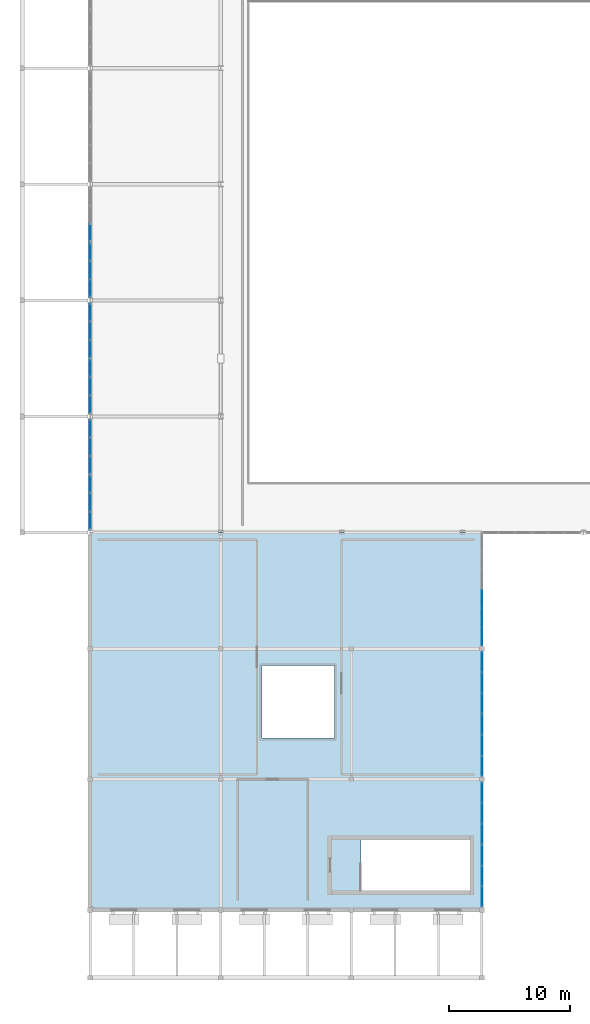
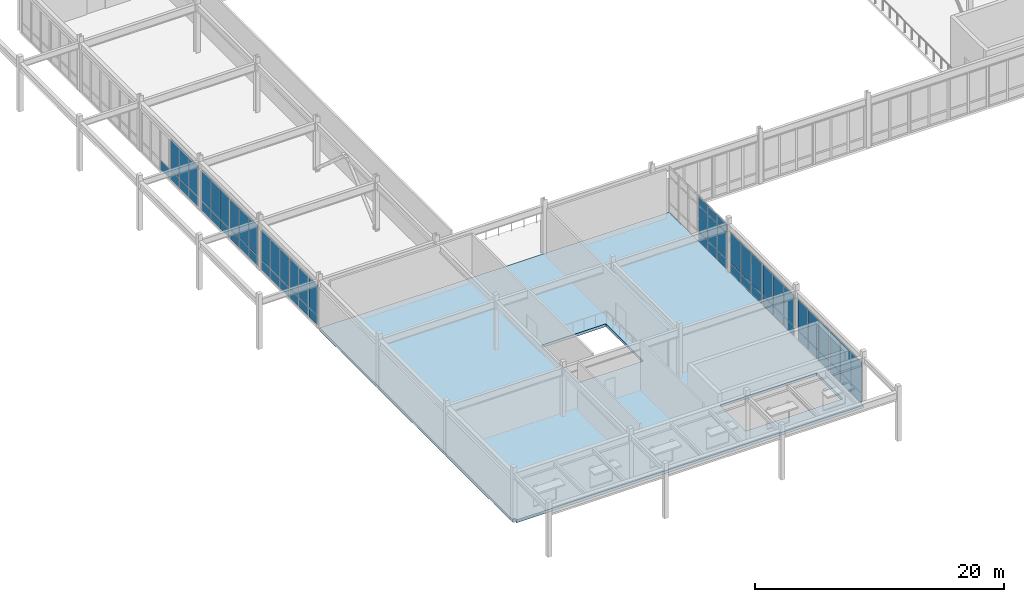
# One storey, part 33 of 68: 64 plates, 1 slab, 11 elements without a shape of their own.
"""IFC4 building model written with IfcOpenShell, lengths in metres."""

from ifc_helpers import new_model, si_unit, direction, frame, origin, origin_2d, place, context, subcontext, project, spatial, polyline, rectangle, outline, extrude, material, layer, layer_set, type_object, element, aggregate, save


model = new_model("IFC4")

# Units and contexts
model_context = context("Model", 3, precision=1e-05, world=origin(), true_north=direction((0.0, 1.0)))
body_context = subcontext(model_context, "Body", "Model", "MODEL_VIEW")
ifc_project = project(units=[si_unit("LENGTHUNIT", "METRE"), si_unit("AREAUNIT", "SQUARE_METRE"), si_unit("VOLUMEUNIT", "CUBIC_METRE"), si_unit("PLANEANGLEUNIT", "RADIAN"), si_unit("MASSUNIT", "GRAM", prefix="KILO")], contexts=[model_context])

# Site, building, storey
site_placement = place(None, origin())
site = spatial("IfcSite", under=ifc_project, at=site_placement, CompositionType="ELEMENT")
building_placement = place(site_placement, origin())
building = spatial("IfcBuilding", under=site, at=building_placement, Name="Veldera Park Congress Hotel", CompositionType="ELEMENT")
storey_placement = place(building_placement, frame((0.0, 0.0, 10.800048828125)))
storey = spatial("IfcBuildingStorey", under=building, at=storey_placement, Name="L02", CompositionType="ELEMENT", Elevation=10.800048828125)

# Curtain wall, plate
ifc_material_1 = material(Name="Low-E Triple Insulating Glass Unit (SHGC 0.22)", Category="glass")
curtain_wall_type_1 = type_object("IfcCurtainWallType", Name="CW-CNG", PredefinedType="NOTDEFINED", material=ifc_material_1)
curtain_wall_1_placement = place(storey_placement, origin())
curtain_wall_1 = element("IfcCurtainWall", 1, at=curtain_wall_1_placement, inside=storey, type_object=curtain_wall_type_1, Name="L02 Curtain Wall CW3-V1W-L02-049", PredefinedType="NOTDEFINED")
ifc_layer_1 = layer(ifc_material_1, 0.035888671875)
ifc_layer_set_1 = layer_set([ifc_layer_1], Name="Low-E Triple Insulating Glass Unit (SHGC 0.22)")
plate_type_1 = type_object("IfcPlateType", Name="CWP-IGU36", PredefinedType="CURTAIN_PANEL", material=ifc_layer_set_1)
plate_1_placement = place(storey_placement, frame((-78.199951171875, 3.7939453125, 0.0751953125), z_axis=(0.0, 0.0, 1.0), x_axis=(0.0, -1.0, 0.0)))
plate_1 = element("IfcPlate", 2, at=plate_1_placement, type_object=plate_type_1, Name="CW-CNG panel 3.1", PredefinedType="CURTAIN_PANEL", context=body_context, shape_type="SweptSolid", body=[
    extrude(rectangle(XDim=1.40771484375, YDim=0.035888671875, at=origin_2d()), origin(), (0.0, 0.0, 1.0), 0.887451171875),
])
aggregate(curtain_wall_1, [plate_1])

# Curtain wall, plates
curtain_wall_2_placement = place(storey_placement, origin())
curtain_wall_2 = element("IfcCurtainWall", 3, at=curtain_wall_2_placement, inside=storey, type_object=curtain_wall_type_1, Name="L02 Curtain Wall CW3-V1W-L02-050", PredefinedType="NOTDEFINED")
plate_2_placement = place(storey_placement, frame((-78.199951171875, 2.2060546875, 0.0751953125), z_axis=(0.0, 0.0, 1.0), x_axis=(0.0, -1.0, 0.0)))
plate_2 = element("IfcPlate", 4, at=plate_2_placement, type_object=plate_type_1, Name="CW-CNG panel 1.1", PredefinedType="CURTAIN_PANEL", context=body_context, shape_type="SweptSolid", body=[
    extrude(rectangle(XDim=1.40771484375, YDim=0.035888671875, at=origin_2d()), origin(), (0.0, 0.0, 1.0), 0.887451171875),
])
plate_3_placement = place(storey_placement, frame((-78.199951171875, 2.2060546875, 1.03759765625), z_axis=(0.0, 0.0, 1.0), x_axis=(0.0, -1.0, 0.0)))
plate_3 = element("IfcPlate", 5, at=plate_3_placement, type_object=plate_type_1, Name="CW-CNG panel 1.2", PredefinedType="CURTAIN_PANEL", context=body_context, shape_type="SweptSolid", body=[
    extrude(rectangle(XDim=1.40771484375, YDim=0.035888671875, at=origin_2d()), origin(), (0.0, 0.0, 1.0), 2.986572265625),
])
plate_4_placement = place(storey_placement, frame((-78.199951171875, 0.70458984375, 0.0751953125), z_axis=(0.0, 0.0, 1.0), x_axis=(0.0, -1.0, 0.0)))
plate_4 = element("IfcPlate", 6, at=plate_4_placement, type_object=plate_type_1, Name="CW-CNG panel 2.1", PredefinedType="CURTAIN_PANEL", context=body_context, shape_type="SweptSolid", body=[
    extrude(rectangle(XDim=1.4453125, YDim=0.035888671875, at=origin_2d()), origin(), (0.0, 0.0, 1.0), 0.887451171875),
])
plate_5_placement = place(storey_placement, frame((-78.199951171875, 0.70458984375, 1.03759765625), z_axis=(0.0, 0.0, 1.0), x_axis=(0.0, -1.0, 0.0)))
plate_5 = element("IfcPlate", 7, at=plate_5_placement, type_object=plate_type_1, Name="CW-CNG panel 2.2", PredefinedType="CURTAIN_PANEL", context=body_context, shape_type="SweptSolid", body=[
    extrude(rectangle(XDim=1.4453125, YDim=0.035888671875, at=origin_2d()), origin(), (0.0, 0.0, 1.0), 2.986572265625),
])
plate_6_placement = place(storey_placement, frame((-78.199951171875, -0.797119140625, 0.0751953125), z_axis=(0.0, 0.0, 1.0), x_axis=(0.0, -1.0, 0.0)))
plate_6 = element("IfcPlate", 8, at=plate_6_placement, type_object=plate_type_1, Name="CW-CNG panel 3.1", PredefinedType="CURTAIN_PANEL", context=body_context, shape_type="SweptSolid", body=[
    extrude(rectangle(XDim=1.40771484375, YDim=0.035888671875, at=origin_2d()), origin(), (0.0, 0.0, 1.0), 0.887451171875),
])
plate_7_placement = place(storey_placement, frame((-78.199951171875, -0.797119140625, 1.03759765625), z_axis=(0.0, 0.0, 1.0), x_axis=(0.0, -1.0, 0.0)))
plate_7 = element("IfcPlate", 9, at=plate_7_placement, type_object=plate_type_1, Name="CW-CNG panel 3.2", PredefinedType="CURTAIN_PANEL", context=body_context, shape_type="SweptSolid", body=[
    extrude(rectangle(XDim=1.40771484375, YDim=0.035888671875, at=origin_2d()), origin(), (0.0, 0.0, 1.0), 2.986572265625),
])
aggregate(curtain_wall_2, [plate_2, plate_3, plate_4, plate_5, plate_6, plate_7])

curtain_wall_3_placement = place(storey_placement, origin())
curtain_wall_3 = element("IfcCurtainWall", 10, at=curtain_wall_3_placement, inside=storey, type_object=curtain_wall_type_1, Name="L02 Curtain Wall CW3-V1W-L02-051", PredefinedType="NOTDEFINED")
plate_8_placement = place(storey_placement, frame((-78.199951171875, -2.802978515625, 0.0751953125), z_axis=(0.0, 0.0, 1.0), x_axis=(0.0, -1.0, 0.0)))
plate_8 = element("IfcPlate", 11, at=plate_8_placement, type_object=plate_type_1, Name="CW-CNG panel 1.1", PredefinedType="CURTAIN_PANEL", context=body_context, shape_type="SweptSolid", body=[
    extrude(rectangle(XDim=1.40771484375, YDim=0.035888671875, at=origin_2d()), origin(), (0.0, 0.0, 1.0), 0.887451171875),
])
plate_9_placement = place(storey_placement, frame((-78.199951171875, -2.802978515625, 1.03759765625), z_axis=(0.0, 0.0, 1.0), x_axis=(0.0, -1.0, 0.0)))
plate_9 = element("IfcPlate", 12, at=plate_9_placement, type_object=plate_type_1, Name="CW-CNG panel 1.2", PredefinedType="CURTAIN_PANEL", context=body_context, shape_type="SweptSolid", body=[
    extrude(rectangle(XDim=1.40771484375, YDim=0.035888671875, at=origin_2d()), origin(), (0.0, 0.0, 1.0), 2.986572265625),
])
plate_10_placement = place(storey_placement, frame((-78.199951171875, -4.304443359375, 0.0751953125), z_axis=(0.0, 0.0, 1.0), x_axis=(0.0, -1.0, 0.0)))
plate_10 = element("IfcPlate", 13, at=plate_10_placement, type_object=plate_type_1, Name="CW-CNG panel 2.1", PredefinedType="CURTAIN_PANEL", context=body_context, shape_type="SweptSolid", body=[
    extrude(rectangle(XDim=1.4453125, YDim=0.035888671875, at=origin_2d()), origin(), (0.0, 0.0, 1.0), 0.887451171875),
])
plate_11_placement = place(storey_placement, frame((-78.199951171875, -4.304443359375, 1.03759765625), z_axis=(0.0, 0.0, 1.0), x_axis=(0.0, -1.0, 0.0)))
plate_11 = element("IfcPlate", 14, at=plate_11_placement, type_object=plate_type_1, Name="CW-CNG panel 2.2", PredefinedType="CURTAIN_PANEL", context=body_context, shape_type="SweptSolid", body=[
    extrude(rectangle(XDim=1.4453125, YDim=0.035888671875, at=origin_2d()), origin(), (0.0, 0.0, 1.0), 2.986572265625),
])
plate_12_placement = place(storey_placement, frame((-78.199951171875, -5.80615234375, 0.0751953125), z_axis=(0.0, 0.0, 1.0), x_axis=(0.0, -1.0, 0.0)))
plate_12 = element("IfcPlate", 15, at=plate_12_placement, type_object=plate_type_1, Name="CW-CNG panel 3.1", PredefinedType="CURTAIN_PANEL", context=body_context, shape_type="SweptSolid", body=[
    extrude(rectangle(XDim=1.40771484375, YDim=0.035888671875, at=origin_2d()), origin(), (0.0, 0.0, 1.0), 0.887451171875),
])
plate_13_placement = place(storey_placement, frame((-78.199951171875, -5.80615234375, 1.03759765625), z_axis=(0.0, 0.0, 1.0), x_axis=(0.0, -1.0, 0.0)))
plate_13 = element("IfcPlate", 16, at=plate_13_placement, type_object=plate_type_1, Name="CW-CNG panel 3.2", PredefinedType="CURTAIN_PANEL", context=body_context, shape_type="SweptSolid", body=[
    extrude(rectangle(XDim=1.40771484375, YDim=0.035888671875, at=origin_2d()), origin(), (0.0, 0.0, 1.0), 2.986572265625),
])
aggregate(curtain_wall_3, [plate_8, plate_9, plate_10, plate_11, plate_12, plate_13])

curtain_wall_4_placement = place(storey_placement, origin())
curtain_wall_4 = element("IfcCurtainWall", 17, at=curtain_wall_4_placement, inside=storey, type_object=curtain_wall_type_1, Name="L02 Curtain Wall CW3-V1W-L02-052", PredefinedType="NOTDEFINED")
plate_14_placement = place(storey_placement, frame((-78.199951171875, -7.393798828125, 0.0751953125), z_axis=(0.0, 0.0, 1.0), x_axis=(0.0, -1.0, 0.0)))
plate_14 = element("IfcPlate", 18, at=plate_14_placement, type_object=plate_type_1, Name="CW-CNG panel 1.1", PredefinedType="CURTAIN_PANEL", context=body_context, shape_type="SweptSolid", body=[
    extrude(rectangle(XDim=1.40771484375, YDim=0.035888671875, at=origin_2d()), origin(), (0.0, 0.0, 1.0), 0.887451171875),
])
plate_15_placement = place(storey_placement, frame((-78.199951171875, -7.393798828125, 1.03759765625), z_axis=(0.0, 0.0, 1.0), x_axis=(0.0, -1.0, 0.0)))
plate_15 = element("IfcPlate", 19, at=plate_15_placement, type_object=plate_type_1, Name="CW-CNG panel 1.2", PredefinedType="CURTAIN_PANEL", context=body_context, shape_type="SweptSolid", body=[
    extrude(rectangle(XDim=1.40771484375, YDim=0.035888671875, at=origin_2d()), origin(), (0.0, 0.0, 1.0), 2.986572265625),
])
plate_16_placement = place(storey_placement, frame((-78.199951171875, -8.8955078125, 0.0751953125), z_axis=(0.0, 0.0, 1.0), x_axis=(0.0, -1.0, 0.0)))
plate_16 = element("IfcPlate", 20, at=plate_16_placement, type_object=plate_type_1, Name="CW-CNG panel 2.1", PredefinedType="CURTAIN_PANEL", context=body_context, shape_type="SweptSolid", body=[
    extrude(rectangle(XDim=1.4453125, YDim=0.035888671875, at=origin_2d()), origin(), (0.0, 0.0, 1.0), 0.887451171875),
])
plate_17_placement = place(storey_placement, frame((-78.199951171875, -8.8955078125, 1.03759765625), z_axis=(0.0, 0.0, 1.0), x_axis=(0.0, -1.0, 0.0)))
plate_17 = element("IfcPlate", 21, at=plate_17_placement, type_object=plate_type_1, Name="CW-CNG panel 2.2", PredefinedType="CURTAIN_PANEL", context=body_context, shape_type="SweptSolid", body=[
    extrude(rectangle(XDim=1.4453125, YDim=0.035888671875, at=origin_2d()), origin(), (0.0, 0.0, 1.0), 2.986572265625),
])
plate_18_placement = place(storey_placement, frame((-78.199951171875, -10.39697265625, 0.0751953125), z_axis=(0.0, 0.0, 1.0), x_axis=(0.0, -1.0, 0.0)))
plate_18 = element("IfcPlate", 22, at=plate_18_placement, type_object=plate_type_1, Name="CW-CNG panel 3.1", PredefinedType="CURTAIN_PANEL", context=body_context, shape_type="SweptSolid", body=[
    extrude(rectangle(XDim=1.40771484375, YDim=0.035888671875, at=origin_2d()), origin(), (0.0, 0.0, 1.0), 0.887451171875),
])
plate_19_placement = place(storey_placement, frame((-78.199951171875, -10.39697265625, 1.03759765625), z_axis=(0.0, 0.0, 1.0), x_axis=(0.0, -1.0, 0.0)))
plate_19 = element("IfcPlate", 23, at=plate_19_placement, type_object=plate_type_1, Name="CW-CNG panel 3.2", PredefinedType="CURTAIN_PANEL", context=body_context, shape_type="SweptSolid", body=[
    extrude(rectangle(XDim=1.40771484375, YDim=0.035888671875, at=origin_2d()), origin(), (0.0, 0.0, 1.0), 2.986572265625),
])
aggregate(curtain_wall_4, [plate_14, plate_15, plate_16, plate_17, plate_18, plate_19])

curtain_wall_5_placement = place(storey_placement, origin())
curtain_wall_5 = element("IfcCurtainWall", 24, at=curtain_wall_5_placement, inside=storey, type_object=curtain_wall_type_1, Name="L02 Curtain Wall CW3-V1W-L02-053", PredefinedType="NOTDEFINED")
plate_20_placement = place(storey_placement, frame((-78.199951171875, -12.40283203125, 0.0751953125), z_axis=(0.0, 0.0, 1.0), x_axis=(0.0, -1.0, 0.0)))
plate_20 = element("IfcPlate", 25, at=plate_20_placement, type_object=plate_type_1, Name="CW-CNG panel 1.1", PredefinedType="CURTAIN_PANEL", context=body_context, shape_type="SweptSolid", body=[
    extrude(rectangle(XDim=1.40771484375, YDim=0.035888671875, at=origin_2d()), origin(), (0.0, 0.0, 1.0), 0.887451171875),
])
plate_21_placement = place(storey_placement, frame((-78.199951171875, -12.40283203125, 1.03759765625), z_axis=(0.0, 0.0, 1.0), x_axis=(0.0, -1.0, 0.0)))
plate_21 = element("IfcPlate", 26, at=plate_21_placement, type_object=plate_type_1, Name="CW-CNG panel 1.2", PredefinedType="CURTAIN_PANEL", context=body_context, shape_type="SweptSolid", body=[
    extrude(rectangle(XDim=1.40771484375, YDim=0.035888671875, at=origin_2d()), origin(), (0.0, 0.0, 1.0), 2.986572265625),
])
plate_22_placement = place(storey_placement, frame((-78.199951171875, -13.904541015625, 0.0751953125), z_axis=(0.0, 0.0, 1.0), x_axis=(0.0, -1.0, 0.0)))
plate_22 = element("IfcPlate", 27, at=plate_22_placement, type_object=plate_type_1, Name="CW-CNG panel 2.1", PredefinedType="CURTAIN_PANEL", context=body_context, shape_type="SweptSolid", body=[
    extrude(rectangle(XDim=1.4453125, YDim=0.035888671875, at=origin_2d()), origin(), (0.0, 0.0, 1.0), 0.887451171875),
])
plate_23_placement = place(storey_placement, frame((-78.199951171875, -13.904541015625, 1.03759765625), z_axis=(0.0, 0.0, 1.0), x_axis=(0.0, -1.0, 0.0)))
plate_23 = element("IfcPlate", 28, at=plate_23_placement, type_object=plate_type_1, Name="CW-CNG panel 2.2", PredefinedType="CURTAIN_PANEL", context=body_context, shape_type="SweptSolid", body=[
    extrude(rectangle(XDim=1.4453125, YDim=0.035888671875, at=origin_2d()), origin(), (0.0, 0.0, 1.0), 2.986572265625),
])
plate_24_placement = place(storey_placement, frame((-78.199951171875, -15.406005859375, 0.0751953125), z_axis=(0.0, 0.0, 1.0), x_axis=(0.0, -1.0, 0.0)))
plate_24 = element("IfcPlate", 29, at=plate_24_placement, type_object=plate_type_1, Name="CW-CNG panel 3.1", PredefinedType="CURTAIN_PANEL", context=body_context, shape_type="SweptSolid", body=[
    extrude(rectangle(XDim=1.40771484375, YDim=0.035888671875, at=origin_2d()), origin(), (0.0, 0.0, 1.0), 0.887451171875),
])
plate_25_placement = place(storey_placement, frame((-78.199951171875, -15.406005859375, 1.03759765625), z_axis=(0.0, 0.0, 1.0), x_axis=(0.0, -1.0, 0.0)))
plate_25 = element("IfcPlate", 30, at=plate_25_placement, type_object=plate_type_1, Name="CW-CNG panel 3.2", PredefinedType="CURTAIN_PANEL", context=body_context, shape_type="SweptSolid", body=[
    extrude(rectangle(XDim=1.40771484375, YDim=0.035888671875, at=origin_2d()), origin(), (0.0, 0.0, 1.0), 2.986572265625),
])
aggregate(curtain_wall_5, [plate_20, plate_21, plate_22, plate_23, plate_24, plate_25])

curtain_wall_6_placement = place(storey_placement, origin())
curtain_wall_6 = element("IfcCurtainWall", 31, at=curtain_wall_6_placement, inside=storey, type_object=curtain_wall_type_1, Name="L02 Curtain Wall CW3-V1W-L02-054", PredefinedType="NOTDEFINED")
plate_26_placement = place(storey_placement, frame((-78.199951171875, -16.993896484375, 0.0751953125), z_axis=(0.0, 0.0, 1.0), x_axis=(0.0, -1.0, 0.0)))
plate_26 = element("IfcPlate", 32, at=plate_26_placement, type_object=plate_type_1, Name="CW-CNG panel 1.1", PredefinedType="CURTAIN_PANEL", context=body_context, shape_type="SweptSolid", body=[
    extrude(rectangle(XDim=1.40771484375, YDim=0.035888671875, at=origin_2d()), origin(), (0.0, 0.0, 1.0), 0.887451171875),
])
plate_27_placement = place(storey_placement, frame((-78.199951171875, -16.993896484375, 1.03759765625), z_axis=(0.0, 0.0, 1.0), x_axis=(0.0, -1.0, 0.0)))
plate_27 = element("IfcPlate", 33, at=plate_27_placement, type_object=plate_type_1, Name="CW-CNG panel 1.2", PredefinedType="CURTAIN_PANEL", context=body_context, shape_type="SweptSolid", body=[
    extrude(rectangle(XDim=1.40771484375, YDim=0.035888671875, at=origin_2d()), origin(), (0.0, 0.0, 1.0), 2.986572265625),
])
plate_28_placement = place(storey_placement, frame((-78.199951171875, -18.49560546875, 0.0751953125), z_axis=(0.0, 0.0, 1.0), x_axis=(0.0, -1.0, 0.0)))
plate_28 = element("IfcPlate", 34, at=plate_28_placement, type_object=plate_type_1, Name="CW-CNG panel 2.1", PredefinedType="CURTAIN_PANEL", context=body_context, shape_type="SweptSolid", body=[
    extrude(rectangle(XDim=1.4453125, YDim=0.035888671875, at=origin_2d()), origin(), (0.0, 0.0, 1.0), 0.887451171875),
])
plate_29_placement = place(storey_placement, frame((-78.199951171875, -18.49560546875, 1.03759765625), z_axis=(0.0, 0.0, 1.0), x_axis=(0.0, -1.0, 0.0)))
plate_29 = element("IfcPlate", 35, at=plate_29_placement, type_object=plate_type_1, Name="CW-CNG panel 2.2", PredefinedType="CURTAIN_PANEL", context=body_context, shape_type="SweptSolid", body=[
    extrude(rectangle(XDim=1.4453125, YDim=0.035888671875, at=origin_2d()), origin(), (0.0, 0.0, 1.0), 2.986572265625),
])
plate_30_placement = place(storey_placement, frame((-78.199951171875, -19.9970703125, 0.0751953125), z_axis=(0.0, 0.0, 1.0), x_axis=(0.0, -1.0, 0.0)))
plate_30 = element("IfcPlate", 36, at=plate_30_placement, type_object=plate_type_1, Name="CW-CNG panel 3.1", PredefinedType="CURTAIN_PANEL", context=body_context, shape_type="SweptSolid", body=[
    extrude(rectangle(XDim=1.40771484375, YDim=0.035888671875, at=origin_2d()), origin(), (0.0, 0.0, 1.0), 0.887451171875),
])
plate_31_placement = place(storey_placement, frame((-78.199951171875, -19.9970703125, 1.03759765625), z_axis=(0.0, 0.0, 1.0), x_axis=(0.0, -1.0, 0.0)))
plate_31 = element("IfcPlate", 37, at=plate_31_placement, type_object=plate_type_1, Name="CW-CNG panel 3.2", PredefinedType="CURTAIN_PANEL", context=body_context, shape_type="SweptSolid", body=[
    extrude(rectangle(XDim=1.40771484375, YDim=0.035888671875, at=origin_2d()), origin(), (0.0, 0.0, 1.0), 2.986572265625),
])
aggregate(curtain_wall_6, [plate_26, plate_27, plate_28, plate_29, plate_30, plate_31])

curtain_wall_type_2 = type_object("IfcCurtainWallType", Name="CW-SPA", PredefinedType="NOTDEFINED", material=ifc_material_1)
curtain_wall_7_placement = place(storey_placement, origin())
curtain_wall_7 = element("IfcCurtainWall", 38, at=curtain_wall_7_placement, inside=storey, type_object=curtain_wall_type_2, Name="L02 Curtain Wall CW3-V3E-L02-073", PredefinedType="NOTDEFINED")
ifc_layer_2 = layer(ifc_material_1, 0.0439453125)
ifc_layer_set_2 = layer_set([ifc_layer_2], Name="Low-E Triple Insulating Glass Unit (SHGC 0.22)")
plate_type_2 = type_object("IfcPlateType", Name="CWP-IGU44", PredefinedType="CURTAIN_PANEL", material=ifc_layer_set_2)
plate_32_placement = place(storey_placement, frame((-45.800048828125, -51.091552734375, 0.06005859375), z_axis=(0.0, 0.0, 1.0), x_axis=(0.0, 1.0, 0.0)))
plate_32 = element("IfcPlate", 39, at=plate_32_placement, type_object=plate_type_2, Name="CW-SPA panel 1.1", PredefinedType="CURTAIN_PANEL", context=body_context, shape_type="SweptSolid", body=[
    extrude(rectangle(XDim=1.626708984375, YDim=0.0439453125, at=origin_2d()), origin(), (0.0, 0.0, 1.0), 0.909912109375),
])
plate_33_placement = place(storey_placement, frame((-45.800048828125, -51.091552734375, 1.02978515625), z_axis=(0.0, 0.0, 1.0), x_axis=(0.0, 1.0, 0.0)))
plate_33 = element("IfcPlate", 40, at=plate_33_placement, type_object=plate_type_2, Name="CW-SPA panel 1.2", PredefinedType="CURTAIN_PANEL", context=body_context, shape_type="SweptSolid", body=[
    extrude(rectangle(XDim=1.626708984375, YDim=0.0439453125, at=origin_2d()), origin(), (0.0, 0.0, 1.0), 3.011962890625),
])
plate_34_placement = place(storey_placement, frame((-45.800048828125, -49.389892578125, 0.06005859375), z_axis=(0.0, 0.0, 1.0), x_axis=(0.0, 1.0, 0.0)))
plate_34 = element("IfcPlate", 41, at=plate_34_placement, type_object=plate_type_2, Name="CW-SPA panel 2.1", PredefinedType="CURTAIN_PANEL", context=body_context, shape_type="SweptSolid", body=[
    extrude(rectangle(XDim=1.65673828125, YDim=0.0439453125, at=origin_2d()), origin(), (0.0, 0.0, 1.0), 0.909912109375),
])
plate_35_placement = place(storey_placement, frame((-45.800048828125, -49.389892578125, 1.02978515625), z_axis=(0.0, 0.0, 1.0), x_axis=(0.0, 1.0, 0.0)))
plate_35 = element("IfcPlate", 42, at=plate_35_placement, type_object=plate_type_2, Name="CW-SPA panel 2.2", PredefinedType="CURTAIN_PANEL", context=body_context, shape_type="SweptSolid", body=[
    extrude(rectangle(XDim=1.65673828125, YDim=0.0439453125, at=origin_2d()), origin(), (0.0, 0.0, 1.0), 3.011962890625),
])
plate_36_placement = place(storey_placement, frame((-45.800048828125, -47.688232421875, 0.06005859375), z_axis=(0.0, 0.0, 1.0), x_axis=(0.0, 1.0, 0.0)))
plate_36 = element("IfcPlate", 43, at=plate_36_placement, type_object=plate_type_2, Name="CW-SPA panel 3.1", PredefinedType="CURTAIN_PANEL", context=body_context, shape_type="SweptSolid", body=[
    extrude(rectangle(XDim=1.626708984375, YDim=0.0439453125, at=origin_2d()), origin(), (0.0, 0.0, 1.0), 0.909912109375),
])
plate_37_placement = place(storey_placement, frame((-45.800048828125, -47.688232421875, 1.02978515625), z_axis=(0.0, 0.0, 1.0), x_axis=(0.0, 1.0, 0.0)))
plate_37 = element("IfcPlate", 44, at=plate_37_placement, type_object=plate_type_2, Name="CW-SPA panel 3.2", PredefinedType="CURTAIN_PANEL", context=body_context, shape_type="SweptSolid", body=[
    extrude(rectangle(XDim=1.626708984375, YDim=0.0439453125, at=origin_2d()), origin(), (0.0, 0.0, 1.0), 3.011962890625),
])
aggregate(curtain_wall_7, [plate_32, plate_33, plate_34, plate_35, plate_36, plate_37])

curtain_wall_8_placement = place(storey_placement, origin())
curtain_wall_8 = element("IfcCurtainWall", 45, at=curtain_wall_8_placement, inside=storey, type_object=curtain_wall_type_2, Name="L02 Curtain Wall CW3-V3E-L02-074", PredefinedType="NOTDEFINED")
plate_38_placement = place(storey_placement, frame((-45.800048828125, -45.91162109375, 0.06005859375), z_axis=(0.0, 0.0, 1.0), x_axis=(0.0, 1.0, 0.0)))
plate_38 = element("IfcPlate", 46, at=plate_38_placement, type_object=plate_type_2, Name="CW-SPA panel 1.1", PredefinedType="CURTAIN_PANEL", context=body_context, shape_type="SweptSolid", body=[
    extrude(rectangle(XDim=1.626708984375, YDim=0.0439453125, at=origin_2d()), origin(), (0.0, 0.0, 1.0), 0.909912109375),
])
plate_39_placement = place(storey_placement, frame((-45.800048828125, -45.91162109375, 1.02978515625), z_axis=(0.0, 0.0, 1.0), x_axis=(0.0, 1.0, 0.0)))
plate_39 = element("IfcPlate", 47, at=plate_39_placement, type_object=plate_type_2, Name="CW-SPA panel 1.2", PredefinedType="CURTAIN_PANEL", context=body_context, shape_type="SweptSolid", body=[
    extrude(rectangle(XDim=1.626708984375, YDim=0.0439453125, at=origin_2d()), origin(), (0.0, 0.0, 1.0), 3.011962890625),
])
plate_40_placement = place(storey_placement, frame((-45.800048828125, -44.2099609375, 0.06005859375), z_axis=(0.0, 0.0, 1.0), x_axis=(0.0, 1.0, 0.0)))
plate_40 = element("IfcPlate", 48, at=plate_40_placement, type_object=plate_type_2, Name="CW-SPA panel 2.1", PredefinedType="CURTAIN_PANEL", context=body_context, shape_type="SweptSolid", body=[
    extrude(rectangle(XDim=1.65673828125, YDim=0.0439453125, at=origin_2d()), origin(), (0.0, 0.0, 1.0), 0.909912109375),
])
plate_41_placement = place(storey_placement, frame((-45.800048828125, -44.2099609375, 1.02978515625), z_axis=(0.0, 0.0, 1.0), x_axis=(0.0, 1.0, 0.0)))
plate_41 = element("IfcPlate", 49, at=plate_41_placement, type_object=plate_type_2, Name="CW-SPA panel 2.2", PredefinedType="CURTAIN_PANEL", context=body_context, shape_type="SweptSolid", body=[
    extrude(rectangle(XDim=1.65673828125, YDim=0.0439453125, at=origin_2d()), origin(), (0.0, 0.0, 1.0), 3.011962890625),
])
plate_42_placement = place(storey_placement, frame((-45.800048828125, -42.50830078125, 0.06005859375), z_axis=(0.0, 0.0, 1.0), x_axis=(0.0, 1.0, 0.0)))
plate_42 = element("IfcPlate", 50, at=plate_42_placement, type_object=plate_type_2, Name="CW-SPA panel 3.1", PredefinedType="CURTAIN_PANEL", context=body_context, shape_type="SweptSolid", body=[
    extrude(rectangle(XDim=1.626708984375, YDim=0.0439453125, at=origin_2d()), origin(), (0.0, 0.0, 1.0), 0.909912109375),
])
plate_43_placement = place(storey_placement, frame((-45.800048828125, -42.50830078125, 1.02978515625), z_axis=(0.0, 0.0, 1.0), x_axis=(0.0, 1.0, 0.0)))
plate_43 = element("IfcPlate", 51, at=plate_43_placement, type_object=plate_type_2, Name="CW-SPA panel 3.2", PredefinedType="CURTAIN_PANEL", context=body_context, shape_type="SweptSolid", body=[
    extrude(rectangle(XDim=1.626708984375, YDim=0.0439453125, at=origin_2d()), origin(), (0.0, 0.0, 1.0), 3.011962890625),
])
aggregate(curtain_wall_8, [plate_38, plate_39, plate_40, plate_41, plate_42, plate_43])

curtain_wall_9_placement = place(storey_placement, origin())
curtain_wall_9 = element("IfcCurtainWall", 52, at=curtain_wall_9_placement, inside=storey, type_object=curtain_wall_type_2, Name="L02 Curtain Wall CW3-V3E-L02-075", PredefinedType="NOTDEFINED")
plate_44_placement = place(storey_placement, frame((-45.800048828125, -40.291748046875, 0.06005859375), z_axis=(0.0, 0.0, 1.0), x_axis=(0.0, 1.0, 0.0)))
plate_44 = element("IfcPlate", 53, at=plate_44_placement, type_object=plate_type_2, Name="CW-SPA panel 1.1", PredefinedType="CURTAIN_PANEL", context=body_context, shape_type="SweptSolid", body=[
    extrude(rectangle(XDim=1.626708984375, YDim=0.0439453125, at=origin_2d()), origin(), (0.0, 0.0, 1.0), 0.909912109375),
])
plate_45_placement = place(storey_placement, frame((-45.800048828125, -40.291748046875, 1.02978515625), z_axis=(0.0, 0.0, 1.0), x_axis=(0.0, 1.0, 0.0)))
plate_45 = element("IfcPlate", 54, at=plate_45_placement, type_object=plate_type_2, Name="CW-SPA panel 1.2", PredefinedType="CURTAIN_PANEL", context=body_context, shape_type="SweptSolid", body=[
    extrude(rectangle(XDim=1.626708984375, YDim=0.0439453125, at=origin_2d()), origin(), (0.0, 0.0, 1.0), 3.011962890625),
])
plate_46_placement = place(storey_placement, frame((-45.800048828125, -38.590087890625, 0.06005859375), z_axis=(0.0, 0.0, 1.0), x_axis=(0.0, 1.0, 0.0)))
plate_46 = element("IfcPlate", 55, at=plate_46_placement, type_object=plate_type_2, Name="CW-SPA panel 2.1", PredefinedType="CURTAIN_PANEL", context=body_context, shape_type="SweptSolid", body=[
    extrude(rectangle(XDim=1.65673828125, YDim=0.0439453125, at=origin_2d()), origin(), (0.0, 0.0, 1.0), 0.909912109375),
])
plate_47_placement = place(storey_placement, frame((-45.800048828125, -38.590087890625, 1.02978515625), z_axis=(0.0, 0.0, 1.0), x_axis=(0.0, 1.0, 0.0)))
plate_47 = element("IfcPlate", 56, at=plate_47_placement, type_object=plate_type_2, Name="CW-SPA panel 2.2", PredefinedType="CURTAIN_PANEL", context=body_context, shape_type="SweptSolid", body=[
    extrude(rectangle(XDim=1.65673828125, YDim=0.0439453125, at=origin_2d()), origin(), (0.0, 0.0, 1.0), 3.011962890625),
])
plate_48_placement = place(storey_placement, frame((-45.800048828125, -36.888427734375, 0.06005859375), z_axis=(0.0, 0.0, 1.0), x_axis=(0.0, 1.0, 0.0)))
plate_48 = element("IfcPlate", 57, at=plate_48_placement, type_object=plate_type_2, Name="CW-SPA panel 3.1", PredefinedType="CURTAIN_PANEL", context=body_context, shape_type="SweptSolid", body=[
    extrude(rectangle(XDim=1.626708984375, YDim=0.0439453125, at=origin_2d()), origin(), (0.0, 0.0, 1.0), 0.909912109375),
])
plate_49_placement = place(storey_placement, frame((-45.800048828125, -36.888427734375, 1.02978515625), z_axis=(0.0, 0.0, 1.0), x_axis=(0.0, 1.0, 0.0)))
plate_49 = element("IfcPlate", 58, at=plate_49_placement, type_object=plate_type_2, Name="CW-SPA panel 3.2", PredefinedType="CURTAIN_PANEL", context=body_context, shape_type="SweptSolid", body=[
    extrude(rectangle(XDim=1.626708984375, YDim=0.0439453125, at=origin_2d()), origin(), (0.0, 0.0, 1.0), 3.011962890625),
])
aggregate(curtain_wall_9, [plate_44, plate_45, plate_46, plate_47, plate_48, plate_49])

curtain_wall_10_placement = place(storey_placement, origin())
curtain_wall_10 = element("IfcCurtainWall", 59, at=curtain_wall_10_placement, inside=storey, type_object=curtain_wall_type_2, Name="L02 Curtain Wall CW3-V3E-L02-076", PredefinedType="NOTDEFINED")
plate_50_placement = place(storey_placement, frame((-45.800048828125, -35.111572265625, 0.06005859375), z_axis=(0.0, 0.0, 1.0), x_axis=(0.0, 1.0, 0.0)))
plate_50 = element("IfcPlate", 60, at=plate_50_placement, type_object=plate_type_2, Name="CW-SPA panel 1.1", PredefinedType="CURTAIN_PANEL", context=body_context, shape_type="SweptSolid", body=[
    extrude(rectangle(XDim=1.626708984375, YDim=0.0439453125, at=origin_2d()), origin(), (0.0, 0.0, 1.0), 0.909912109375),
])
plate_51_placement = place(storey_placement, frame((-45.800048828125, -35.111572265625, 1.02978515625), z_axis=(0.0, 0.0, 1.0), x_axis=(0.0, 1.0, 0.0)))
plate_51 = element("IfcPlate", 61, at=plate_51_placement, type_object=plate_type_2, Name="CW-SPA panel 1.2", PredefinedType="CURTAIN_PANEL", context=body_context, shape_type="SweptSolid", body=[
    extrude(rectangle(XDim=1.626708984375, YDim=0.0439453125, at=origin_2d()), origin(), (0.0, 0.0, 1.0), 3.011962890625),
])
plate_52_placement = place(storey_placement, frame((-45.800048828125, -33.409912109375, 0.06005859375), z_axis=(0.0, 0.0, 1.0), x_axis=(0.0, 1.0, 0.0)))
plate_52 = element("IfcPlate", 62, at=plate_52_placement, type_object=plate_type_2, Name="CW-SPA panel 2.1", PredefinedType="CURTAIN_PANEL", context=body_context, shape_type="SweptSolid", body=[
    extrude(rectangle(XDim=1.65673828125, YDim=0.0439453125, at=origin_2d()), origin(), (0.0, 0.0, 1.0), 0.909912109375),
])
plate_53_placement = place(storey_placement, frame((-45.800048828125, -33.409912109375, 1.02978515625), z_axis=(0.0, 0.0, 1.0), x_axis=(0.0, 1.0, 0.0)))
plate_53 = element("IfcPlate", 63, at=plate_53_placement, type_object=plate_type_2, Name="CW-SPA panel 2.2", PredefinedType="CURTAIN_PANEL", context=body_context, shape_type="SweptSolid", body=[
    extrude(rectangle(XDim=1.65673828125, YDim=0.0439453125, at=origin_2d()), origin(), (0.0, 0.0, 1.0), 3.011962890625),
])
plate_54_placement = place(storey_placement, frame((-45.800048828125, -31.708251953125, 0.06005859375), z_axis=(0.0, 0.0, 1.0), x_axis=(0.0, 1.0, 0.0)))
plate_54 = element("IfcPlate", 64, at=plate_54_placement, type_object=plate_type_2, Name="CW-SPA panel 3.1", PredefinedType="CURTAIN_PANEL", context=body_context, shape_type="SweptSolid", body=[
    extrude(rectangle(XDim=1.626708984375, YDim=0.0439453125, at=origin_2d()), origin(), (0.0, 0.0, 1.0), 0.909912109375),
])
plate_55_placement = place(storey_placement, frame((-45.800048828125, -31.708251953125, 1.02978515625), z_axis=(0.0, 0.0, 1.0), x_axis=(0.0, 1.0, 0.0)))
plate_55 = element("IfcPlate", 65, at=plate_55_placement, type_object=plate_type_2, Name="CW-SPA panel 3.2", PredefinedType="CURTAIN_PANEL", context=body_context, shape_type="SweptSolid", body=[
    extrude(rectangle(XDim=1.626708984375, YDim=0.0439453125, at=origin_2d()), origin(), (0.0, 0.0, 1.0), 3.011962890625),
])
aggregate(curtain_wall_10, [plate_50, plate_51, plate_52, plate_53, plate_54, plate_55])

curtain_wall_11_placement = place(storey_placement, origin())
curtain_wall_11 = element("IfcCurtainWall", 66, at=curtain_wall_11_placement, inside=storey, type_object=curtain_wall_type_2, Name="L02 Curtain Wall CW3-V3E-L02-077", PredefinedType="NOTDEFINED")
plate_56_placement = place(storey_placement, frame((-45.800048828125, -29.5732421875, 0.06005859375), z_axis=(0.0, 0.0, 1.0), x_axis=(0.0, 1.0, 0.0)))
plate_56 = element("IfcPlate", 67, at=plate_56_placement, type_object=plate_type_2, Name="CW-SPA panel 1.1", PredefinedType="CURTAIN_PANEL", context=body_context, shape_type="SweptSolid", body=[
    extrude(rectangle(XDim=1.46337890625, YDim=0.0439453125, at=origin_2d()), origin(), (0.0, 0.0, 1.0), 0.909912109375),
])
plate_57_placement = place(storey_placement, frame((-45.800048828125, -29.5732421875, 1.030029296875), z_axis=(0.0, 0.0, 1.0), x_axis=(0.0, 1.0, 0.0)))
plate_57 = element("IfcPlate", 68, at=plate_57_placement, type_object=plate_type_2, Name="CW-SPA panel 1.2", PredefinedType="CURTAIN_PANEL", context=body_context, shape_type="SweptSolid", body=[
    extrude(rectangle(XDim=1.46337890625, YDim=0.0439453125, at=origin_2d()), origin(), (0.0, 0.0, 1.0), 2.5400390625),
])
plate_58_placement = place(storey_placement, frame((-45.800048828125, -29.5732421875, 3.6298828125), z_axis=(0.0, 0.0, 1.0), x_axis=(0.0, 1.0, 0.0)))
plate_58 = element("IfcPlate", 69, at=plate_58_placement, type_object=plate_type_2, Name="CW-SPA panel 1.3", PredefinedType="CURTAIN_PANEL", context=body_context, shape_type="SweptSolid", body=[
    extrude(rectangle(XDim=1.46337890625, YDim=0.0439453125, at=origin_2d()), origin(), (0.0, 0.0, 1.0), 0.81005859375),
])
plate_59_placement = place(storey_placement, frame((-45.800048828125, -28.034912109375, 0.06005859375), z_axis=(0.0, 0.0, 1.0), x_axis=(0.0, 1.0, 0.0)))
plate_59 = element("IfcPlate", 70, at=plate_59_placement, type_object=plate_type_2, Name="CW-SPA panel 2.1", PredefinedType="CURTAIN_PANEL", context=body_context, shape_type="SweptSolid", body=[
    extrude(rectangle(XDim=1.493408203125, YDim=0.0439453125, at=origin_2d()), origin(), (0.0, 0.0, 1.0), 0.909912109375),
])
plate_60_placement = place(storey_placement, frame((-45.800048828125, -28.034912109375, 1.030029296875), z_axis=(0.0, 0.0, 1.0), x_axis=(0.0, 1.0, 0.0)))
plate_60 = element("IfcPlate", 71, at=plate_60_placement, type_object=plate_type_2, Name="CW-SPA panel 2.2", PredefinedType="CURTAIN_PANEL", context=body_context, shape_type="SweptSolid", body=[
    extrude(rectangle(XDim=1.493408203125, YDim=0.0439453125, at=origin_2d()), origin(), (0.0, 0.0, 1.0), 2.5400390625),
])
plate_61_placement = place(storey_placement, frame((-45.800048828125, -28.034912109375, 3.6298828125), z_axis=(0.0, 0.0, 1.0), x_axis=(0.0, 1.0, 0.0)))
plate_61 = element("IfcPlate", 72, at=plate_61_placement, type_object=plate_type_2, Name="CW-SPA panel 2.3", PredefinedType="CURTAIN_PANEL", context=body_context, shape_type="SweptSolid", body=[
    extrude(rectangle(XDim=1.493408203125, YDim=0.0439453125, at=origin_2d()), origin(), (0.0, 0.0, 1.0), 0.81005859375),
])
plate_62_placement = place(storey_placement, frame((-45.800048828125, -26.49658203125, 0.06005859375), z_axis=(0.0, 0.0, 1.0), x_axis=(0.0, 1.0, 0.0)))
plate_62 = element("IfcPlate", 73, at=plate_62_placement, type_object=plate_type_2, Name="CW-SPA panel 3.1", PredefinedType="CURTAIN_PANEL", context=body_context, shape_type="SweptSolid", body=[
    extrude(rectangle(XDim=1.46337890625, YDim=0.0439453125, at=origin_2d()), origin(), (0.0, 0.0, 1.0), 0.909912109375),
])
plate_63_placement = place(storey_placement, frame((-45.800048828125, -26.49658203125, 1.030029296875), z_axis=(0.0, 0.0, 1.0), x_axis=(0.0, 1.0, 0.0)))
plate_63 = element("IfcPlate", 74, at=plate_63_placement, type_object=plate_type_2, Name="CW-SPA panel 3.2", PredefinedType="CURTAIN_PANEL", context=body_context, shape_type="SweptSolid", body=[
    extrude(rectangle(XDim=1.46337890625, YDim=0.0439453125, at=origin_2d()), origin(), (0.0, 0.0, 1.0), 2.5400390625),
])
plate_64_placement = place(storey_placement, frame((-45.800048828125, -26.49658203125, 3.6298828125), z_axis=(0.0, 0.0, 1.0), x_axis=(0.0, 1.0, 0.0)))
plate_64 = element("IfcPlate", 75, at=plate_64_placement, type_object=plate_type_2, Name="CW-SPA panel 3.3", PredefinedType="CURTAIN_PANEL", context=body_context, shape_type="SweptSolid", body=[
    extrude(rectangle(XDim=1.46337890625, YDim=0.0439453125, at=origin_2d()), origin(), (0.0, 0.0, 1.0), 0.81005859375),
])
aggregate(curtain_wall_11, [plate_56, plate_57, plate_58, plate_59, plate_60, plate_61, plate_62, plate_63, plate_64])

# Slab
ifc_material_2 = material(Name="Concrete f'c 40 MPa (5,800 psi)", Category="concrete")
ifc_layer_3 = layer(ifc_material_2, 0.27001953125)
ifc_layer_set_3 = layer_set([ifc_layer_3], Name="Concrete f'c 40 MPa (5,800 psi)")
slab_type = type_object("IfcSlabType", Name="SLB-RC270", PredefinedType="FLOOR", material=ifc_layer_set_3)
slab_placement = place(storey_placement, frame((0.0, 0.0, -0.27001953125)))
element("IfcSlab", 76, at=slab_placement, inside=storey, type_object=slab_type, Name="L02 Floor Slab SLB-L02-V3", PredefinedType="FLOOR", context=body_context, shape_type="SweptSolid", body=[
    extrude(outline(polyline([(-78.199951171875, -51.93994140625), (-77.93994140625, -51.93994140625), (-77.93994140625, -52.199951171875), (-45.800048828125, -52.199951171875), (-45.800048828125, -21.0), (-78.199951171875, -21.0), (-78.199951171875, -51.93994140625)]), holes=[polyline([(-55.784912109375, -50.60009765625), (-46.800048828125, -50.60009765625), (-46.800048828125, -46.39990234375), (-55.784912109375, -46.39990234375), (-55.784912109375, -50.60009765625)]), polyline([(-64.0, -38.0), (-58.0, -38.0), (-58.0, -32.0), (-64.0, -32.0), (-64.0, -38.0)])]), origin(), (0.0, 0.0, 1.0), 0.27001953125),
])

save(model, "model.ifc")
